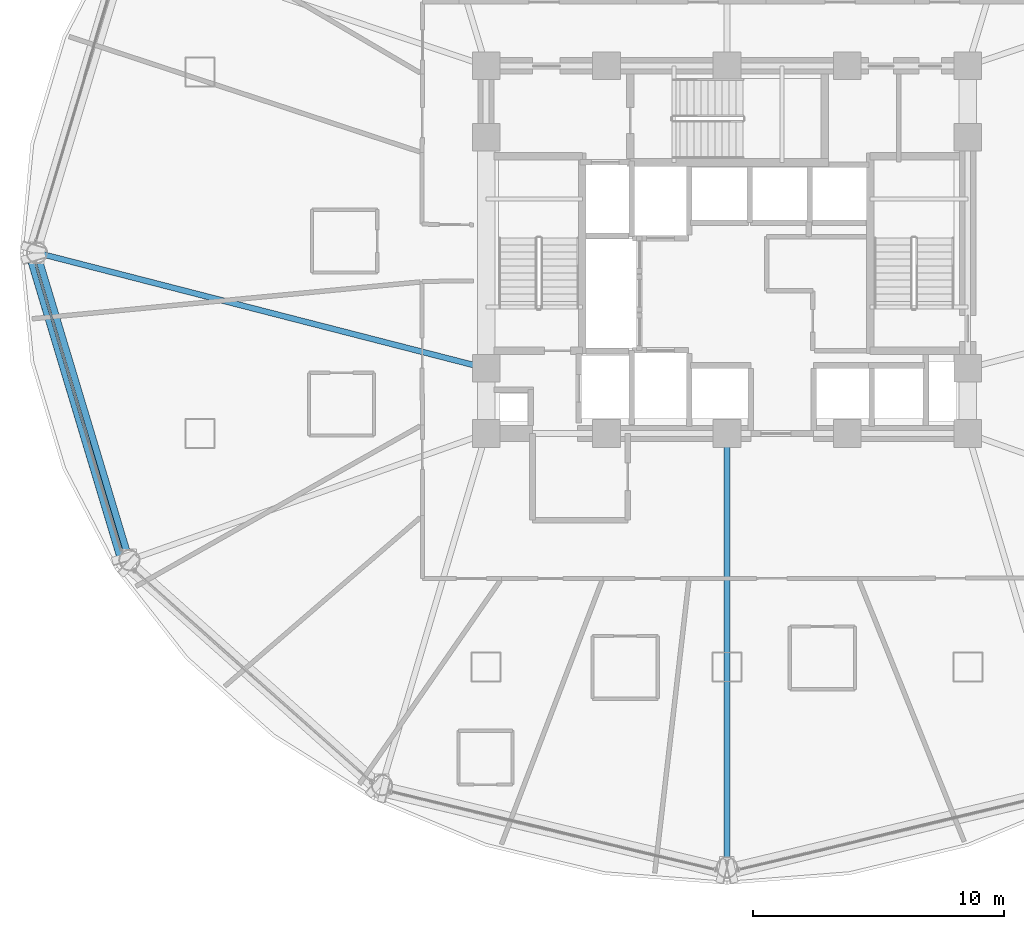
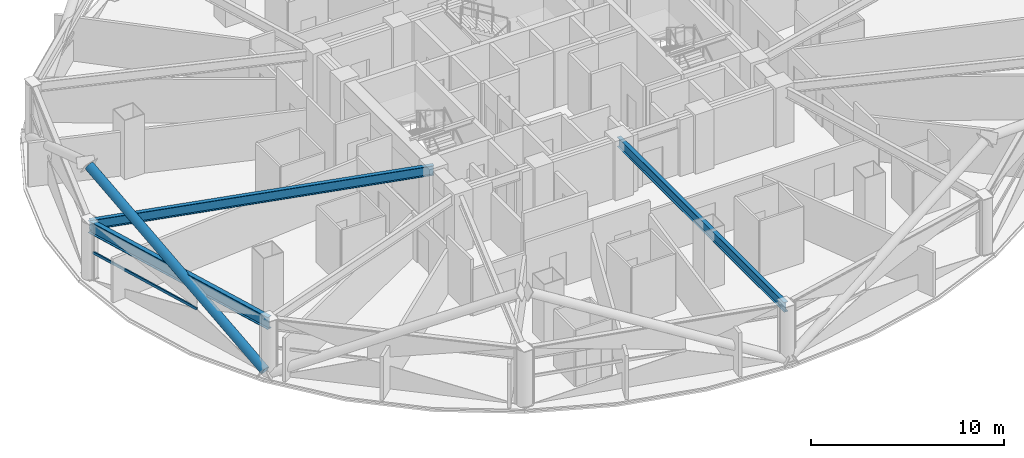
# One storey, part 5 of 30: 3 beams, 2 members, 1 element without a shape of its own.
"""IFC4 building model written with IfcOpenShell, lengths in metres."""

from ifc_helpers import new_model, si_unit, direction, frame, origin, origin_2d, place, context, subcontext, project, spatial, hollow_rectangle, hollow_circle, i_section, extrude, material, layer, layer_set, material_profile, profile_set, type_object, element, aggregate, save


model = new_model("IFC4")

# Units and contexts
model_context = context("Model", 3, precision=1e-05, world=origin(), true_north=direction((0.0, 1.0)))
body_context = subcontext(model_context, "Body", "Model", "MODEL_VIEW")
ifc_project = project(units=[si_unit("LENGTHUNIT", "METRE"), si_unit("AREAUNIT", "SQUARE_METRE"), si_unit("VOLUMEUNIT", "CUBIC_METRE"), si_unit("PLANEANGLEUNIT", "RADIAN"), si_unit("MASSUNIT", "GRAM", prefix="KILO")], contexts=[model_context])

# Site, building, storey
site_placement = place(None, origin())
site = spatial("IfcSite", under=ifc_project, at=site_placement, CompositionType="ELEMENT")
building_placement = place(site_placement, origin())
building = spatial("IfcBuilding", under=site, at=building_placement, Name="Vantalir Tower", CompositionType="ELEMENT")
storey_placement = place(building_placement, frame((0.0, 0.0, 79.5)))
storey = spatial("IfcBuildingStorey", under=building, at=storey_placement, Name="L19", CompositionType="ELEMENT", Elevation=79.5)

# Beams
ifc_material_1 = material(Name="Steel S355", Category="steel")
ifc_material_profile_1 = material_profile(ifc_material_1, i_section(OverallWidth=0.22998046875, OverallDepth=0.616943359375, WebThickness=0.01318359375, FlangeThickness=0.022216796875, at=origin_2d()), Name="Steel S355")
ifc_profile_set_1 = profile_set([ifc_material_profile_1], Name="Steel S355")
beam_type_1 = type_object("IfcBeamType", Name="BM-RB-610x229", PredefinedType="BEAM", material=ifc_profile_set_1)
beam_1_placement = place(storey_placement, frame((4.0, 25.0, 3.261962890625), z_axis=(0.968528607781, -0.248902261761, 0.0), x_axis=(0.248902261761, 0.968528607781, 0.0)))
element("IfcBeam", 1, at=beam_1_placement, inside=storey, type_object=beam_type_1, Name="L19 Radial Floor Beam 07", PredefinedType="BEAM", context=body_context, shape_type="SweptSolid", body=[
    extrude(i_section(OverallWidth=0.22998046875, OverallDepth=0.616943359375, WebThickness=0.01318359375, FlangeThickness=0.022216796875, at=origin_2d()), origin(), (0.0, 0.0, 1.0), 18.4814453125),
])
beam_2_placement = place(storey_placement, frame((31.5, 0.5048828125, 3.261962890625), z_axis=(0.0, 1.0, 0.0), x_axis=(-1.0, 0.0, 0.0)))
element("IfcBeam", 2, at=beam_2_placement, inside=storey, type_object=beam_type_1, Name="L19 Radial Floor Beam 10", PredefinedType="BEAM", context=body_context, shape_type="SweptSolid", body=[
    extrude(i_section(OverallWidth=0.22998046875, OverallDepth=0.616943359375, WebThickness=0.01318359375, FlangeThickness=0.022216796875, at=origin_2d()), origin(), (0.0, 0.0, 1.0), 17.295166015625),
])
ifc_material_2 = material(Name="Steel S460", Category="steel")
ifc_material_profile_2 = material_profile(ifc_material_2, i_section(OverallWidth=0.26806640625, OverallDepth=0.77001953125, WebThickness=0.015625, FlangeThickness=0.025390625, at=origin_2d()), Name="Steel S460")
ifc_profile_set_2 = profile_set([ifc_material_profile_2], Name="Steel S460")
beam_type_2 = type_object("IfcBeamType", Name="BM-RG-762x267", PredefinedType="USERDEFINED", material=ifc_profile_set_2)
beam_3_placement = place(storey_placement, frame((4.0, 25.0, 3.18505859375), z_axis=(0.288041290662, -0.957617990053, 0.0), x_axis=(0.957617990053, 0.288041290662, 0.0)))
element("IfcBeam", 3, at=beam_3_placement, inside=storey, type_object=beam_type_2, Name="L19 Circumferential Ring Girder 07", ObjectType="GIRDER", PredefinedType="USERDEFINED", context=body_context, shape_type="SweptSolid", body=[
    extrude(i_section(OverallWidth=0.26806640625, OverallDepth=0.77001953125, WebThickness=0.015625, FlangeThickness=0.025390625, at=origin_2d()), origin(), (0.0, 0.0, 1.0), 12.7900390625),
])

# Curtain wall, member
ifc_material_3 = material(Name="Champagne-silver PVDF aluminium and double-silver Low-E glass", Category="aluminium")
ifc_layer = layer(ifc_material_3, 0.18994140625)
ifc_layer_set = layer_set([ifc_layer], Name="Champagne-silver PVDF aluminium and double-silver Low-E glass")
curtain_wall_type = type_object("IfcCurtainWallType", Name="CW-DIAMOND-Z1", PredefinedType="USERDEFINED", material=ifc_layer_set)
curtain_wall_placement = place(storey_placement, origin())
curtain_wall = element("IfcCurtainWall", 4, at=curtain_wall_placement, inside=storey, type_object=curtain_wall_type, Name="L19 Quilted Pyramid-Diamond Curtain Wall S07", ObjectType="UNITISED CURTAIN WALL", PredefinedType="USERDEFINED")
ifc_material_4 = material(Name="Champagne-silver PVDF aluminium 6063-T6", Category="aluminium")
ifc_material_profile_3 = material_profile(ifc_material_4, hollow_rectangle(XDim=0.074951171875, YDim=0.159912109375, WallThickness=0.00390625, at=origin_2d()), Name="Champagne-silver PVDF aluminium 6063-T6")
ifc_profile_set_3 = profile_set([ifc_material_profile_3], Name="Champagne-silver PVDF aluminium 6063-T6")
member_type_1 = type_object("IfcMemberType", Name="CWT-160x75", PredefinedType="USERDEFINED", material=ifc_profile_set_3)
member_1_placement = place(storey_placement, frame((3.945068359375, 24.550048828125, 1.784912109375), z_axis=(0.284813133052, -0.958583058082, 0.0), x_axis=(0.958583058082, 0.284813133052, 0.0)))
member_1 = element("IfcMember", 5, at=member_1_placement, type_object=member_type_1, Name="CW-L19-S07 Pyramid Fold Ridge Transom", ObjectType="TRANSOM", PredefinedType="USERDEFINED", context=body_context, shape_type="SweptSolid", body=[
    extrude(hollow_rectangle(XDim=0.074951171875, YDim=0.159912109375, WallThickness=0.00390625, at=origin_2d()), origin(), (0.0, 0.0, 1.0), 7.407958984375),
])
aggregate(curtain_wall, [member_1])

# Member
ifc_material_profile_4 = material_profile(ifc_material_2, hollow_circle(Radius=0.27001953125, WallThickness=0.044921875, at=origin_2d()), Name="Steel S460")
ifc_profile_set_4 = profile_set([ifc_material_profile_4], Name="Steel S460")
member_type_2 = type_object("IfcMemberType", Name="MEM-DB-540x45", PredefinedType="BRACE", material=ifc_profile_set_4)
member_2_placement = place(storey_placement, frame((7.465087890625, 12.841064453125, 0.18701171875), z_axis=(-0.251684098995, 0.837166239767, 0.485600454395), x_axis=(-0.957657923707, -0.287908494424, 0.0)))
element("IfcMember", 6, at=member_2_placement, inside=storey, type_object=member_type_2, Name="L19 Perimeter S460 Diagrid Brace R22R", PredefinedType="BRACE", context=body_context, shape_type="SweptSolid", body=[
    extrude(hollow_circle(Radius=0.27001953125, WallThickness=0.044921875, at=origin_2d()), origin(), (0.0, 0.0, 1.0), 14.303955078125),
])

save(model, "model.ifc")
